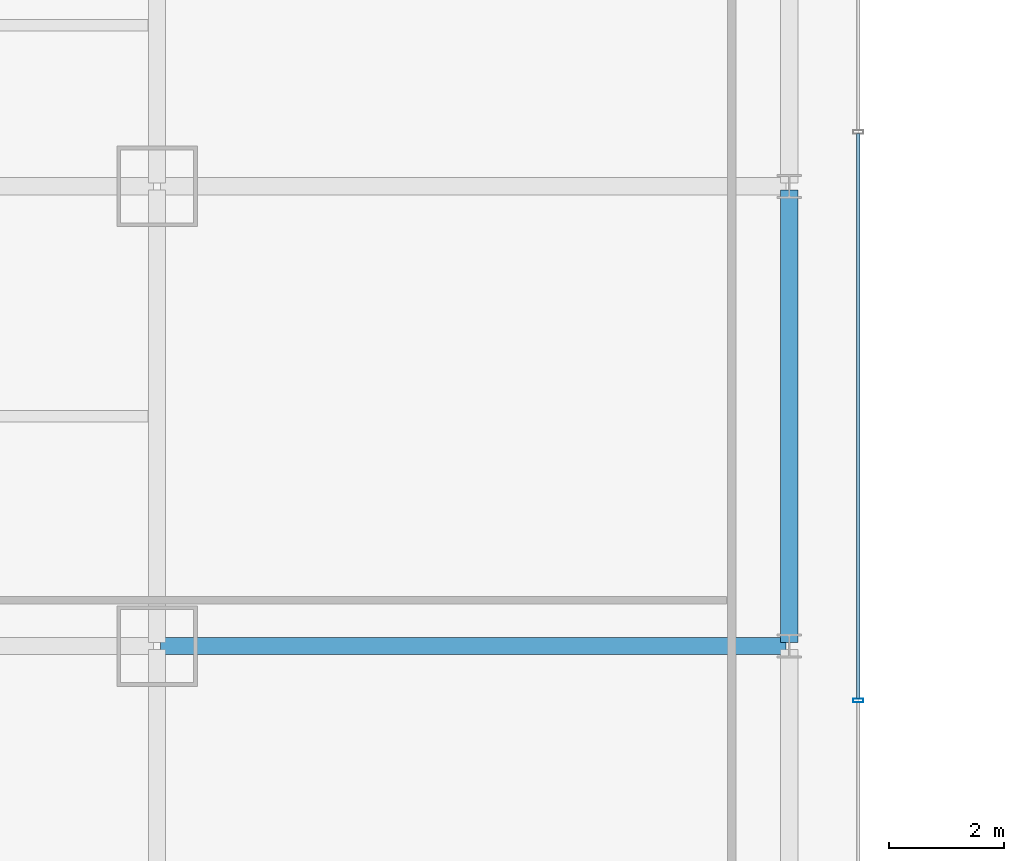
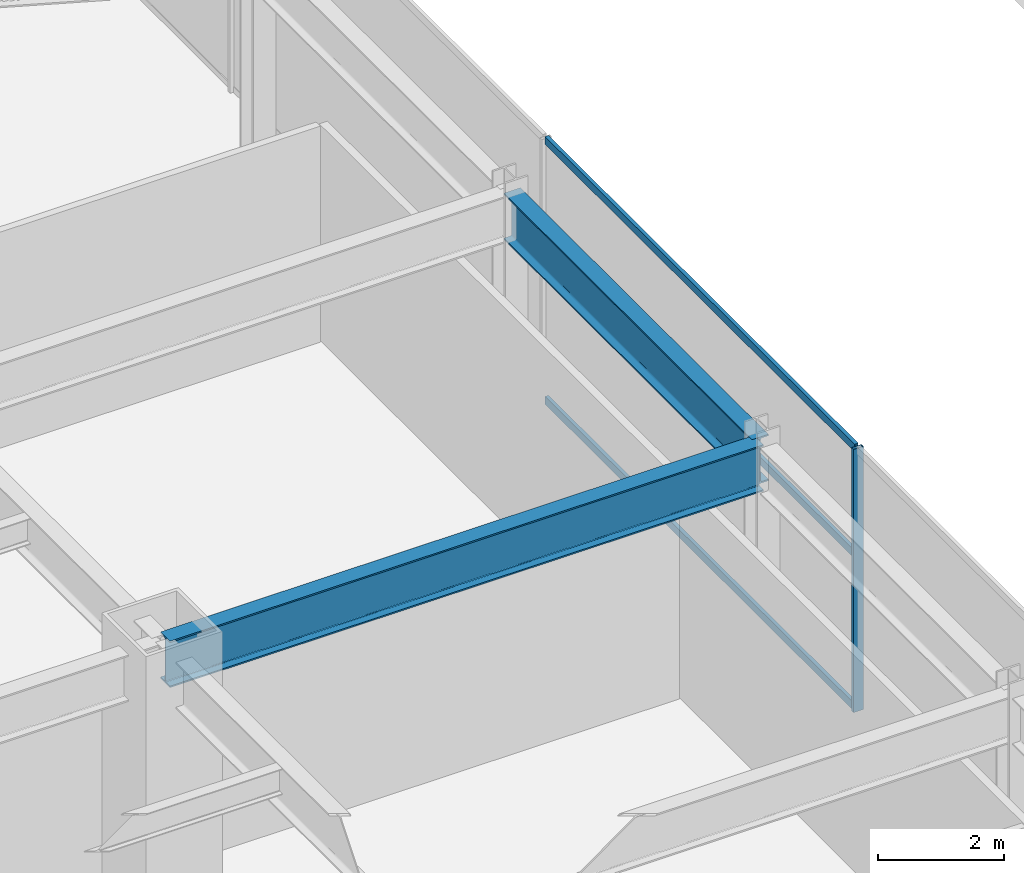
# One storey, part 22 of 52: 4 members, 2 beams, 1 element without a shape of its own.
"""IFC4 building model written with IfcOpenShell, lengths in metres."""

import ifcopenshell
import ifcopenshell.guid

model = None  # the IFC model being written
_history = None  # IfcOwnerHistory: only IFC2X3 demands one
_inside = {}  # id of a spatial element -> (the spatial element, [elements in it])
_under = {}  # id of a project, library or spatial element -> (it, [spatial elements below it])
_declared = {}  # id of a project -> (the project, [libraries it declares])
_typed = {}  # id of a type object -> (the type object, [elements of that type])
_made_of = {}  # id of a material, layer set ... -> (it, [elements and type objects made of it])


def new_model(schema):
    """Start an empty IFC model of exactly this schema.

    Asked for "IFC4X3", IfcOpenShell would pick the latest addendum, in which some entities
    have other attributes; the version numbers below select the first issue.
    IFC2X3 requires an IfcOwnerHistory on every rooted entity: one is made here for all.
    """
    global model, _history
    if schema == "IFC4X3":
        model = ifcopenshell.file(schema_version=(4, 3, 0, 0))
    else:
        model = ifcopenshell.file(schema=schema)
    _inside.clear()
    _under.clear()
    _declared.clear()
    _typed.clear()
    _made_of.clear()
    _history = None
    if model.schema == "IFC2X3":
        org = make("IfcOrganization", Name="unknown")
        user = make(
            "IfcPersonAndOrganization",
            ThePerson=make("IfcPerson", FamilyName="unknown"),
            TheOrganization=org,
        )
        app = make(
            "IfcApplication",
            ApplicationDeveloper=org,
            Version="unknown",
            ApplicationFullName="unknown",
            ApplicationIdentifier="unknown",
        )
        _history = make(
            "IfcOwnerHistory",
            OwningUser=user,
            OwningApplication=app,
            ChangeAction="ADDED",
            CreationDate=0,
        )
    return model


def make(cls, **values):
    """One entity of the class cls with the attributes given. An attribute that is None is left unset."""
    return model.create_entity(
        cls, **{name: value for name, value in values.items() if value is not None}
    )


def rooted(cls, **values):
    """An entity with a GlobalId (a new one), such as an element, a storey or a relation."""
    return make(cls, GlobalId=ifcopenshell.guid.new(), OwnerHistory=_history, **values)


def si_unit(unit_type, name, prefix=None):
    """IfcSIUnit, for example si_unit("LENGTHUNIT", "METRE", prefix="MILLI")."""
    return make("IfcSIUnit", UnitType=unit_type, Prefix=prefix, Name=name)


def assignment(units):
    """IfcUnitAssignment: the units of a project."""
    return None if units is None else make("IfcUnitAssignment", Units=units)


def point(xyz):
    """IfcCartesianPoint."""
    return None if xyz is None else make("IfcCartesianPoint", Coordinates=xyz)


def direction(xyz):
    """IfcDirection."""
    return None if xyz is None else make("IfcDirection", DirectionRatios=xyz)


def frame(location, z_axis=None, x_axis=None):
    """IfcAxis2Placement3D, a coordinate frame: its origin and axes. An axis left out is left unset."""
    return make(
        "IfcAxis2Placement3D",
        Location=point(location),
        Axis=direction(z_axis),
        RefDirection=direction(x_axis),
    )


def frame_2d(location, x_axis=None):
    """IfcAxis2Placement2D, a coordinate frame in the plane: its origin and x axis."""
    return make(
        "IfcAxis2Placement2D", Location=point(location), RefDirection=direction(x_axis)
    )


def origin():
    """The frame at (0, 0, 0) with its axes left unset."""
    return frame((0.0, 0.0, 0.0))


def origin_2d():
    """The frame at (0, 0) in the plane with its x axis left unset."""
    return frame_2d((0.0, 0.0))


def place(relative_to, where):
    """IfcLocalPlacement: puts the frame where relative to a parent placement (None: the world)."""
    return make(
        "IfcLocalPlacement", PlacementRelTo=relative_to, RelativePlacement=where
    )


def context(
    kind, dimensions, precision=None, world=None, true_north=None, identifier=None
):
    """IfcGeometricRepresentationContext, for example the 3D "Model" context."""
    return make(
        "IfcGeometricRepresentationContext",
        ContextIdentifier=identifier,
        ContextType=kind,
        CoordinateSpaceDimension=dimensions,
        Precision=precision,
        WorldCoordinateSystem=world,
        TrueNorth=true_north,
    )


def subcontext(parent, identifier, kind, view, scale=None):
    """IfcGeometricRepresentationSubContext, for example "Body" below "Model"."""
    return make(
        "IfcGeometricRepresentationSubContext",
        ContextIdentifier=identifier,
        ContextType=kind,
        ParentContext=parent,
        TargetScale=scale,
        TargetView=view,
    )


def project(units=None, contexts=None):
    """IfcProject with its units and contexts."""
    return rooted(
        "IfcProject",
        Name="project",
        RepresentationContexts=contexts,
        UnitsInContext=assignment(units),
    )


def spatial(cls, under=None, at=None, **own):
    """A site, building, storey or space (cls), placed at a placement, below another one or the project."""
    s = rooted(cls, ObjectPlacement=at, **own)
    if under is not None:
        _under.setdefault(under.id(), (under, []))[1].append(s)
    return s


def profile(cls, at=None, kind="AREA", **sizes):
    """A parametric profile (cls). Its sizes go by their IFC names, for example OverallWidth=200.0."""
    return make(cls, ProfileType=kind, Position=at, **sizes)


def hollow_rectangle(**sizes):
    """IfcRectangleHollowProfileDef."""
    return profile("IfcRectangleHollowProfileDef", **sizes)


def i_section(**sizes):
    """IfcIShapeProfileDef."""
    return profile("IfcIShapeProfileDef", **sizes)


def extrude(swept, where, along, depth):
    """IfcExtrudedAreaSolid: the profile swept, set in the frame where, extruded along a direction by depth."""
    return make(
        "IfcExtrudedAreaSolid",
        SweptArea=swept,
        Position=where,
        ExtrudedDirection=direction(along),
        Depth=depth,
    )


def shape(context_of_items, identifier, shape_type, items):
    """IfcShapeRepresentation: the items that make up one representation, for example the "Body"."""
    return make(
        "IfcShapeRepresentation",
        ContextOfItems=context_of_items,
        RepresentationIdentifier=identifier,
        RepresentationType=shape_type,
        Items=items,
    )


def material(Name=None, Category=None):
    """IfcMaterial."""
    return make("IfcMaterial", Name=Name, Category=Category)


def material_profile(
    of_material, cross_section, Name=None, Category=None, Priority=None
):
    """IfcMaterialProfile: a cross section and its material."""
    return make(
        "IfcMaterialProfile",
        Name=Name,
        Material=of_material,
        Profile=cross_section,
        Priority=Priority,
        Category=Category,
    )


def profile_set(profiles, Name=None, composite=None):
    """IfcMaterialProfileSet."""
    return make(
        "IfcMaterialProfileSet",
        Name=Name,
        MaterialProfiles=profiles,
        CompositeProfile=composite,
    )


def made_of(thing, what):
    """Note that an element or type object is made of a material, layer set ...; save() writes the relation."""
    if what is not None:
        _made_of.setdefault(what.id(), (what, []))[1].append(thing)
    return thing


def type_object(cls, material=None, **own):
    """A type object (cls), such as IfcWallType, which elements share."""
    return made_of(rooted(cls, **own), material)


def element(
    cls,
    number,
    at=None,
    inside=None,
    cuts=None,
    type_object=None,
    material=None,
    context=None,
    identifier="Body",
    shape_type=None,
    held_by="IfcProductDefinitionShape",
    body=None,
    shapes=None,
    **own,
):
    """One element of the class cls, such as IfcWall. Its Tag is "e" and its number.

    at: its placement. inside: the storey or other place that contains it. cuts: it is an
    opening in that element (IfcRelVoidsElement). A single representation is given by context,
    identifier, shape_type and body (its items); several are given by shapes. held_by: the class
    of the entity that holds the representations. save() writes the other relations.
    """
    e = rooted(cls, Tag="e%d" % number, ObjectPlacement=at, **own)
    if body is not None:
        shapes = [shape(context, identifier, shape_type, body)]
    if shapes is not None:
        e.Representation = make(held_by, Representations=shapes)
    if inside is not None:
        _inside.setdefault(inside.id(), (inside, []))[1].append(e)
    if cuts is not None:
        rooted(
            "IfcRelVoidsElement", RelatingBuildingElement=cuts, RelatedOpeningElement=e
        )
    if type_object is not None:
        _typed.setdefault(type_object.id(), (type_object, []))[1].append(e)
    return made_of(e, material)


def aggregate(whole, parts):
    """IfcRelAggregates: a whole, such as a stair, and the parts it consists of."""
    return rooted("IfcRelAggregates", RelatingObject=whole, RelatedObjects=parts)


def save(model, path):
    """Write the relations noted so far, then the file.

    IfcRelAggregates (storeys below a building ...), IfcRelContainedInSpatialStructure (elements
    in a storey), IfcRelDefinesByType, IfcRelAssociatesMaterial and IfcRelDeclares: one each for
    every whole, place, type object, material and project.
    """
    for whole, parts in _under.values():
        aggregate(whole, parts)
    for where, things in _inside.values():
        rooted(
            "IfcRelContainedInSpatialStructure",
            RelatedElements=things,
            RelatingStructure=where,
        )
    for kind, things in _typed.values():
        rooted("IfcRelDefinesByType", RelatedObjects=things, RelatingType=kind)
    for what, things in _made_of.values():
        rooted("IfcRelAssociatesMaterial", RelatedObjects=things, RelatingMaterial=what)
    for by, libraries in _declared.values():
        rooted("IfcRelDeclares", RelatingContext=by, RelatedDefinitions=libraries)
    model.write(path)


model = new_model("IFC4")

# Units and contexts
model_context = context("Model", 3, precision=1e-05, world=origin(), true_north=direction((0.0, 1.0)))
body_context = subcontext(model_context, "Body", "Model", "MODEL_VIEW")
ifc_project = project(units=[si_unit("LENGTHUNIT", "METRE"), si_unit("AREAUNIT", "SQUARE_METRE"), si_unit("VOLUMEUNIT", "CUBIC_METRE"), si_unit("PLANEANGLEUNIT", "RADIAN"), si_unit("MASSUNIT", "GRAM", prefix="KILO")], contexts=[model_context])

# Site, building, storey
site_placement = place(None, origin())
site = spatial("IfcSite", under=ifc_project, at=site_placement, CompositionType="ELEMENT")
building_placement = place(site_placement, origin())
building = spatial("IfcBuilding", under=site, at=building_placement, Name="Saevonmaru Cultural Tower", CompositionType="ELEMENT")
storey_placement = place(building_placement, frame((0.0, 0.0, 16.800048828125)))
storey = spatial("IfcBuildingStorey", under=building, at=storey_placement, Name="L03", CompositionType="ELEMENT", Elevation=16.800048828125)

# Beams
ifc_material_1 = material(Name="Steel SM420", Category="steel")
ifc_material_profile_1 = material_profile(ifc_material_1, i_section(OverallWidth=0.300048828125, OverallDepth=0.89990234375, WebThickness=0.01611328125, FlangeThickness=0.028076171875, FilletRadius=0.028076171875, at=origin_2d()), Name="H-900x300x16x28")
ifc_profile_set_1 = profile_set([ifc_material_profile_1], Name="Steel SM420")
beam_type = type_object("IfcBeamType", Name="BM-G-H900", PredefinedType="BEAM", material=ifc_profile_set_1)
beam_1_placement = place(storey_placement, frame((47.860107421875, 24.0, 4.64990234375), z_axis=(1.0, 0.0, 0.0), x_axis=(0.0, 1.0, 0.0)))
element("IfcBeam", 1, at=beam_1_placement, inside=storey, type_object=beam_type, Name="BM-POD-OE-3-L03", PredefinedType="BEAM", context=body_context, shape_type="SweptSolid", body=[
    extrude(i_section(OverallWidth=0.300048828125, OverallDepth=0.89990234375, WebThickness=0.01611328125, FlangeThickness=0.028076171875, FilletRadius=0.028076171875, at=origin_2d()), origin(), (0.0, 0.0, 1.0), 10.8798828125),
])
beam_2_placement = place(storey_placement, frame((58.800048828125, 24.06005859375, 4.64990234375), z_axis=(0.0, 1.0, 0.0), x_axis=(-1.0, 0.0, 0.0)))
element("IfcBeam", 2, at=beam_2_placement, inside=storey, type_object=beam_type, Name="BM-POD-PE-3-L03", PredefinedType="BEAM", context=body_context, shape_type="SweptSolid", body=[
    extrude(i_section(OverallWidth=0.300048828125, OverallDepth=0.89990234375, WebThickness=0.01611328125, FlangeThickness=0.028076171875, FilletRadius=0.028076171875, at=origin_2d()), origin(), (0.0, 0.0, 1.0), 7.8798828125),
])

# Curtain wall, members
ifc_material_2 = material(Name="Satin Bronze Anodised Aluminium", Category="aluminium")
curtain_wall_type = type_object("IfcCurtainWallType", Name="CW-POD-GLZ", PredefinedType="NOTDEFINED", material=ifc_material_2)
curtain_wall_placement = place(storey_placement, origin())
curtain_wall = element("IfcCurtainWall", 3, at=curtain_wall_placement, inside=storey, type_object=curtain_wall_type, Name="L03 Saevon Plaza Curtain Wall", PredefinedType="NOTDEFINED")
ifc_material_profile_2 = material_profile(ifc_material_2, hollow_rectangle(XDim=0.06494140625, YDim=0.179931640625, WallThickness=0.00390625, at=origin_2d()), Name="ALU-MULL-180x65x4")
ifc_profile_set_2 = profile_set([ifc_material_profile_2], Name="Satin Bronze Anodised Aluminium")
member_type_1 = type_object("IfcMemberType", Name="ML-CW-180x65", PredefinedType="MULLION", material=ifc_profile_set_2)
member_1_placement = place(storey_placement, frame((60.0, 23.052001953125, 0.0), z_axis=(0.0, 0.0, 1.0), x_axis=(0.0, 1.0, 0.0)))
member_1 = element("IfcMember", 4, at=member_1_placement, type_object=member_type_1, Name="CW-POD-E-L03 mullion 3", PredefinedType="MULLION", context=body_context, shape_type="SweptSolid", body=[
    extrude(hollow_rectangle(XDim=0.06494140625, YDim=0.179931640625, WallThickness=0.00390625, at=origin_2d()), origin(), (0.0, 0.0, 1.0), 5.099853515625),
])
ifc_material_profile_3 = material_profile(ifc_material_2, hollow_rectangle(XDim=0.06494140625, YDim=0.14990234375, WallThickness=0.00390625, at=origin_2d()), Name="ALU-TRAN-150x65x4")
ifc_profile_set_3 = profile_set([ifc_material_profile_3], Name="Satin Bronze Anodised Aluminium")
member_type_2 = type_object("IfcMemberType", Name="TR-CW-150x65", PredefinedType="USERDEFINED", material=ifc_profile_set_3)
member_2_placement = place(storey_placement, frame((60.0, 23.08447265625, 0.032470703125), z_axis=(0.0, 1.0, 0.0), x_axis=(-1.0, 0.0, 0.0)))
member_2 = element("IfcMember", 5, at=member_2_placement, type_object=member_type_2, Name="CW-POD-E-L03 transom 3.1", ObjectType="TRANSOM", PredefinedType="USERDEFINED", context=body_context, shape_type="SweptSolid", body=[
    extrude(hollow_rectangle(XDim=0.06494140625, YDim=0.14990234375, WallThickness=0.00390625, at=origin_2d()), origin(), (0.0, 0.0, 1.0), 9.8310546875),
])
member_3_placement = place(storey_placement, frame((60.0, 23.08447265625, 3.0), z_axis=(0.0, 1.0, 0.0), x_axis=(-1.0, 0.0, 0.0)))
member_3 = element("IfcMember", 6, at=member_3_placement, type_object=member_type_2, Name="CW-POD-E-L03 transom 3.2", ObjectType="TRANSOM", PredefinedType="USERDEFINED", context=body_context, shape_type="SweptSolid", body=[
    extrude(hollow_rectangle(XDim=0.06494140625, YDim=0.14990234375, WallThickness=0.00390625, at=origin_2d()), origin(), (0.0, 0.0, 1.0), 9.8310546875),
])
member_4_placement = place(storey_placement, frame((60.0, 23.08447265625, 5.0673828125), z_axis=(0.0, 1.0, 0.0), x_axis=(-1.0, 0.0, 0.0)))
member_4 = element("IfcMember", 7, at=member_4_placement, type_object=member_type_2, Name="CW-POD-E-L03 transom 3.3", ObjectType="TRANSOM", PredefinedType="USERDEFINED", context=body_context, shape_type="SweptSolid", body=[
    extrude(hollow_rectangle(XDim=0.06494140625, YDim=0.14990234375, WallThickness=0.00390625, at=origin_2d()), origin(), (0.0, 0.0, 1.0), 9.8310546875),
])
aggregate(curtain_wall, [member_1, member_2, member_3, member_4])

save(model, "model.ifc")
